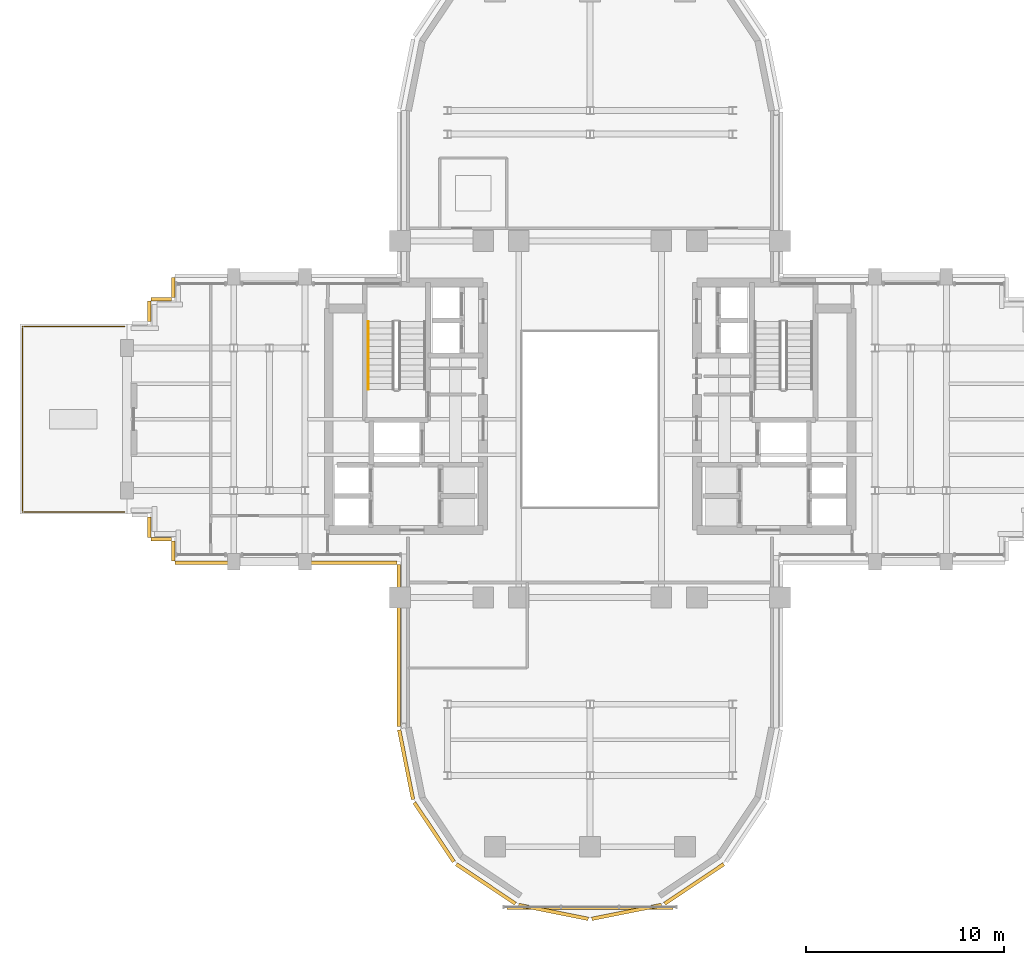
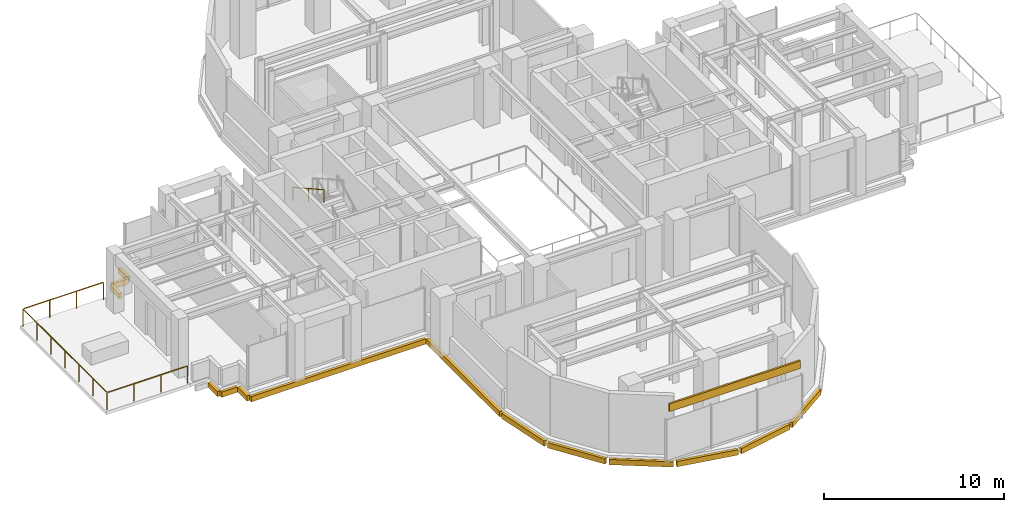
# One storey, part 12 of 16: 15 coverings, 2 railings.
"""IFC4 building model written with IfcOpenShell, lengths in metres."""

from ifc_helpers import new_model, si_unit, direction, frame, origin, origin_2d, place, context, subcontext, project, spatial, rectangle, extrude, source, transform, mapped, material, layer, layer_set, type_object, element, save


model = new_model("IFC4")

# Units and contexts
model_context = context("Model", 3, precision=1e-05, world=origin(), true_north=direction((0.0, 1.0)))
body_context = subcontext(model_context, "Body", "Model", "MODEL_VIEW")
ifc_project = project(units=[si_unit("LENGTHUNIT", "METRE"), si_unit("AREAUNIT", "SQUARE_METRE"), si_unit("VOLUMEUNIT", "CUBIC_METRE"), si_unit("PLANEANGLEUNIT", "RADIAN"), si_unit("MASSUNIT", "GRAM", prefix="KILO")], contexts=[model_context])

# Site, building, storey
site_placement = place(None, origin())
site = spatial("IfcSite", under=ifc_project, at=site_placement, CompositionType="ELEMENT")
building_placement = place(site_placement, origin())
building = spatial("IfcBuilding", under=site, at=building_placement, Name="Keilestroom Media Tower", CompositionType="ELEMENT")
storey_placement = place(building_placement, frame((0.0, 0.0, 93.0)))
storey = spatial("IfcBuildingStorey", under=building, at=storey_placement, Name="L24", CompositionType="ELEMENT", Elevation=93.0)

# Railings
ifc_material_1 = material(Name="Brushed Stainless Steel 1.4301", Category="steel")
railing_type_1 = type_object("IfcRailingType", Name="Stair-Pitch-Handrail-920", PredefinedType="HANDRAIL", material=ifc_material_1)
railing_1_placement = place(storey_placement, frame((-11.2099609375, 4.931884765625, 2.27490234375)))
element("IfcRailing", 1, at=railing_1_placement, inside=storey, type_object=railing_type_1, Name="L24 ST-1 stair handrail 2", PredefinedType="HANDRAIL", context=body_context, shape_type="SweptSolid", body=[
    extrude(rectangle(XDim=0.048095703125, YDim=0.048095703125, at=origin_2d()), frame((0.0, 0.0, 0.8759765625), z_axis=(0.0, -0.872159829118, 0.489221046638), x_axis=(1.0, 0.0, 0.0)), (0.0, 0.0, 1.0), 3.934814453125),
    extrude(rectangle(XDim=0.0419921875, YDim=0.0419921875, at=origin_2d()), origin(), (0.0, 0.0, 1.0), 0.84375),
    extrude(rectangle(XDim=0.0419921875, YDim=0.0419921875, at=origin_2d()), frame((0.0, -1.7158203125, 0.96240234375)), (0.0, 0.0, 1.0), 0.84375),
    extrude(rectangle(XDim=0.0419921875, YDim=0.0419921875, at=origin_2d()), frame((0.0, -3.431884765625, 1.925048828125)), (0.0, 0.0, 1.0), 0.84375),
])
ifc_material_2 = material(Name="Laminated Safety Glass & Bronze Aluminium", Category="aluminium")
railing_type_2 = type_object("IfcRailingType", Name="Terrace-And-Atrium-Guard-Balustrade-GD-SKY", PredefinedType="BALUSTRADE", material=ifc_material_2)
railing_2_placement = place(storey_placement, frame((-23.52001953125, -4.679931640625, 0.0)))
element("IfcRailing", 2, at=railing_2_placement, inside=storey, type_object=railing_type_2, Name="L24 Terrace Perimeter Guard SG24-W", PredefinedType="BALUSTRADE", context=body_context, shape_type="SweptSolid", body=[
    extrude(rectangle(XDim=0.048095703125, YDim=0.048095703125, at=origin_2d()), frame((0.0, 0.0, 1.17578125), z_axis=(-1.0, 0.0, 0.0), x_axis=(0.0, -1.0, 0.0)), (0.0, 0.0, 1.0), 5.11181640625),
    extrude(rectangle(XDim=0.048095703125, YDim=0.048095703125, at=origin_2d()), frame((-5.159912109375, 0.048095703125, 1.17578125), z_axis=(0.0, 1.0, 0.0), x_axis=(-1.0, 0.0, 0.0)), (0.0, 0.0, 1.0), 9.263671875),
    extrude(rectangle(XDim=0.048095703125, YDim=0.048095703125, at=origin_2d()), frame((-5.11181640625, 9.35986328125, 1.17578125), z_axis=(1.0, 0.0, 0.0), x_axis=(0.0, 1.0, 0.0)), (0.0, 0.0, 1.0), 5.11181640625),
    extrude(rectangle(XDim=0.0419921875, YDim=0.0419921875, at=origin_2d()), origin(), (0.0, 0.0, 1.0), 1.143798828125),
    extrude(rectangle(XDim=0.0419921875, YDim=0.0419921875, at=origin_2d()), frame((-1.719970703125, 0.0, 0.0)), (0.0, 0.0, 1.0), 1.143798828125),
    extrude(rectangle(XDim=0.0419921875, YDim=0.0419921875, at=origin_2d()), frame((-3.43994140625, 0.0, 0.0)), (0.0, 0.0, 1.0), 1.143798828125),
    extrude(rectangle(XDim=0.0419921875, YDim=0.0419921875, at=origin_2d()), frame((-5.159912109375, 0.0, 0.0)), (0.0, 0.0, 1.0), 1.143798828125),
    extrude(rectangle(XDim=0.0419921875, YDim=0.0419921875, at=origin_2d()), frame((-5.159912109375, 1.56005859375, 0.0)), (0.0, 0.0, 1.0), 1.143798828125),
    extrude(rectangle(XDim=0.0419921875, YDim=0.0419921875, at=origin_2d()), frame((-5.159912109375, 3.119873046875, 0.0)), (0.0, 0.0, 1.0), 1.143798828125),
    extrude(rectangle(XDim=0.0419921875, YDim=0.0419921875, at=origin_2d()), frame((-5.159912109375, 4.679931640625, 0.0)), (0.0, 0.0, 1.0), 1.143798828125),
    extrude(rectangle(XDim=0.0419921875, YDim=0.0419921875, at=origin_2d()), frame((-5.159912109375, 6.239990234375, 0.0)), (0.0, 0.0, 1.0), 1.143798828125),
    extrude(rectangle(XDim=0.0419921875, YDim=0.0419921875, at=origin_2d()), frame((-5.159912109375, 7.7998046875, 0.0)), (0.0, 0.0, 1.0), 1.143798828125),
    extrude(rectangle(XDim=0.0419921875, YDim=0.0419921875, at=origin_2d()), frame((-5.159912109375, 9.35986328125, 0.0)), (0.0, 0.0, 1.0), 1.143798828125),
    extrude(rectangle(XDim=0.0419921875, YDim=0.0419921875, at=origin_2d()), frame((-3.43994140625, 9.35986328125, 0.0)), (0.0, 0.0, 1.0), 1.143798828125),
    extrude(rectangle(XDim=0.0419921875, YDim=0.0419921875, at=origin_2d()), frame((-1.719970703125, 9.35986328125, 0.0)), (0.0, 0.0, 1.0), 1.143798828125),
    extrude(rectangle(XDim=0.0419921875, YDim=0.0419921875, at=origin_2d()), frame((0.0, 9.35986328125, 0.0)), (0.0, 0.0, 1.0), 1.143798828125),
])

# Coverings
ifc_material_3 = material(Name="Precast concrete C40/50", Category="concrete")
ifc_layer = layer(ifc_material_3, 0.1201171875)
ifc_layer_set = layer_set([ifc_layer], Name="Precast concrete C40/50")
covering_type = type_object("IfcCoveringType", Name="Exterior-Precast-Spandrel-Cladding-Panel-120", PredefinedType="CLADDING", material=ifc_layer_set)
shared_shape_1 = source(origin(), body_context, "Body", "SweptSolid", [
    extrude(rectangle(XDim=8.39990234375, YDim=0.1201171875, at=origin_2d()), origin(), (0.0, 0.0, 1.0), 0.52001953125),
])
covering_1_placement = place(storey_placement, frame((0.0, -24.719970703125, 3.489990234375), z_axis=(0.0, 0.0, 1.0), x_axis=(1.0, 0.0, 0.0)))
element("IfcCovering", 3, at=covering_1_placement, inside=storey, type_object=covering_type, Name="L24 Precast Spandrel Cladding S", PredefinedType="CLADDING", context=body_context, shape_type="MappedRepresentation", body=[
    mapped(shared_shape_1, transform((0.0, 0.0, 0.0), x_axis=(1.0, 0.0, 0.0), y_axis=(0.0, 1.0, 0.0), z_axis=(0.0, 0.0, 1.0), scale=1.0)),
])
shared_shape_2 = source(origin(), body_context, "Body", "SweptSolid", [
    extrude(rectangle(XDim=1.02001953125, YDim=0.179931640625, at=origin_2d()), origin(), (0.0, 0.0, 1.0), 0.360107421875),
])
for number, where, z_axis, x_axis, name in (
    (4, (-21.06005859375, -6.659912109375, -0.5400390625), (0.0, 0.0, 1.0), (0.0, 1.0, 0.0), "L24 Precast Slab-Edge Fascia Cornice 17"),
    (5, (-21.659912109375, -6.06005859375, -0.5400390625), (0.0, 0.0, 1.0), (-1.0, 0.0, 0.0), "L24 Precast Slab-Edge Fascia Cornice 18"),
    (6, (-22.260009765625, -5.4599609375, -0.5400390625), (0.0, 0.0, 1.0), (0.0, 1.0, 0.0), "L24 Precast Slab-Edge Fascia Cornice 19"),
    (7, (-22.260009765625, 5.4599609375, -0.5400390625), (0.0, 0.0, 1.0), (0.0, 1.0, 0.0), "L24 Precast Slab-Edge Fascia Cornice 22"),
    (8, (-21.659912109375, 6.06005859375, -0.5400390625), (0.0, 0.0, 1.0), (1.0, 0.0, 0.0), "L24 Precast Slab-Edge Fascia Cornice 23"),
    (9, (-21.06005859375, 6.659912109375, -0.5400390625), (0.0, 0.0, 1.0), (0.0, 1.0, 0.0), "L24 Precast Slab-Edge Fascia Cornice 24"),
):
    element("IfcCovering", number, at=place(storey_placement, frame(where, z_axis=z_axis, x_axis=x_axis)), inside=storey, type_object=covering_type, Name=name, PredefinedType="CLADDING", context=body_context, shape_type="MappedRepresentation", body=[
        mapped(shared_shape_2, transform((0.0, 0.0, 0.0), x_axis=(1.0, 0.0, 0.0), y_axis=(0.0, 1.0, 0.0), z_axis=(0.0, 0.0, 1.0), scale=1.0)),
    ])
shared_shape_3 = source(origin(), body_context, "Body", "SweptSolid", [
    extrude(rectangle(XDim=8.166015625, YDim=0.179931640625, at=origin_2d()), origin(), (0.0, 0.0, 1.0), 0.360107421875),
])
covering_2_placement = place(storey_placement, frame((-9.659912109375, -11.43310546875, -0.5400390625), z_axis=(0.0, 0.0, 1.0), x_axis=(0.0, 1.0, 0.0)))
element("IfcCovering", 10, at=covering_2_placement, inside=storey, type_object=covering_type, Name="L24 Precast Slab-Edge Fascia Cornice 15", PredefinedType="CLADDING", context=body_context, shape_type="MappedRepresentation", body=[
    mapped(shared_shape_3, transform((0.0, 0.0, 0.0), x_axis=(1.0, 0.0, 0.0), y_axis=(0.0, 1.0, 0.0), z_axis=(0.0, 0.0, 1.0), scale=1.0)),
])
shared_shape_4 = source(origin(), body_context, "Body", "SweptSolid", [
    extrude(rectangle(XDim=3.58349609375, YDim=0.179931640625, at=origin_2d()), origin(), (0.0, 0.0, 1.0), 0.360107421875),
])
covering_3_placement = place(storey_placement, frame((-9.29296875, -17.45166015625, -0.5400390625), z_axis=(0.0, 0.0, 1.0), x_axis=(-0.195098880975, 0.980783577882, 0.0)))
element("IfcCovering", 11, at=covering_3_placement, inside=storey, type_object=covering_type, Name="L24 Precast Slab-Edge Fascia Cornice 14", PredefinedType="CLADDING", context=body_context, shape_type="MappedRepresentation", body=[
    mapped(shared_shape_4, transform((0.0, 0.0, 0.0), x_axis=(1.0, 0.0, 0.0), y_axis=(0.0, 1.0, 0.0), z_axis=(0.0, 0.0, 1.0), scale=1.0)),
])
shared_shape_5 = source(origin(), body_context, "Body", "SweptSolid", [
    extrude(rectangle(XDim=3.589599609375, YDim=0.179931640625, at=origin_2d()), origin(), (0.0, 0.0, 1.0), 0.360107421875),
])
for number, where, z_axis, x_axis, name in (
    (12, (5.264404296875, -23.478515625, -0.5400390625), (0.0, 0.0, 1.0), (-0.831466703332, -0.555574586577, 0.0), "L24 Precast Slab-Edge Fascia Cornice 09"),
    (13, (1.8486328125, -24.893310546875, -0.5400390625), (0.0, 0.0, 1.0), (-0.980783577882, -0.195098880975, 0.0), "L24 Precast Slab-Edge Fascia Cornice 10"),
    (14, (-1.8486328125, -24.893310546875, -0.5400390625), (0.0, 0.0, 1.0), (-0.980783577882, 0.195098880975, 0.0), "L24 Precast Slab-Edge Fascia Cornice 11"),
    (15, (-5.264404296875, -23.478515625, -0.5400390625), (0.0, 0.0, 1.0), (-0.831466703332, 0.555574586577, 0.0), "L24 Precast Slab-Edge Fascia Cornice 12"),
    (16, (-7.878662109375, -20.8642578125, -0.5400390625), (0.0, 0.0, 1.0), (-0.555574586577, 0.831466703332, 0.0), "L24 Precast Slab-Edge Fascia Cornice 13"),
):
    element("IfcCovering", number, at=place(storey_placement, frame(where, z_axis=z_axis, x_axis=x_axis)), inside=storey, type_object=covering_type, Name=name, PredefinedType="CLADDING", context=body_context, shape_type="MappedRepresentation", body=[
        mapped(shared_shape_5, transform((0.0, 0.0, 0.0), x_axis=(1.0, 0.0, 0.0), y_axis=(0.0, 1.0, 0.0), z_axis=(0.0, 0.0, 1.0), scale=1.0)),
    ])
shared_shape_6 = source(origin(), body_context, "Body", "SweptSolid", [
    extrude(rectangle(XDim=11.219970703125, YDim=0.179931640625, at=origin_2d()), origin(), (0.0, 0.0, 1.0), 0.360107421875),
])
covering_4_placement = place(storey_placement, frame((-15.360107421875, -7.260009765625, -0.5400390625), z_axis=(0.0, 0.0, 1.0), x_axis=(-1.0, 0.0, 0.0)))
element("IfcCovering", 17, at=covering_4_placement, inside=storey, type_object=covering_type, Name="L24 Precast Slab-Edge Fascia Cornice 16", PredefinedType="CLADDING", context=body_context, shape_type="MappedRepresentation", body=[
    mapped(shared_shape_6, transform((0.0, 0.0, 0.0), x_axis=(1.0, 0.0, 0.0), y_axis=(0.0, 1.0, 0.0), z_axis=(0.0, 0.0, 1.0), scale=1.0)),
])

save(model, "model.ifc")
